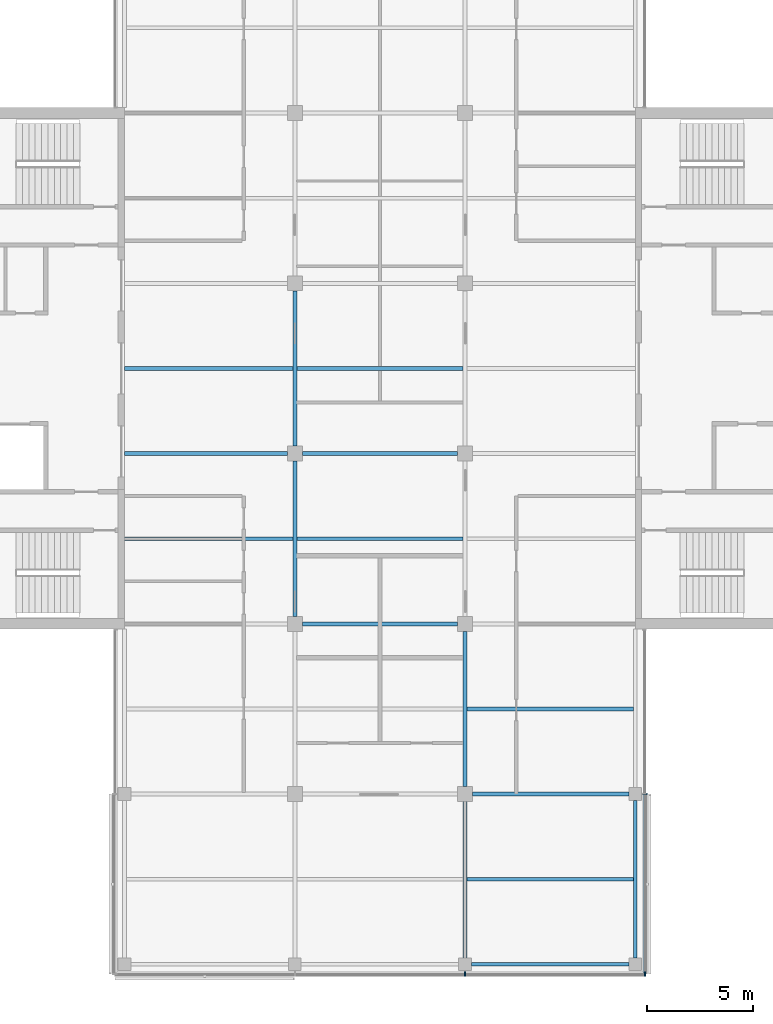
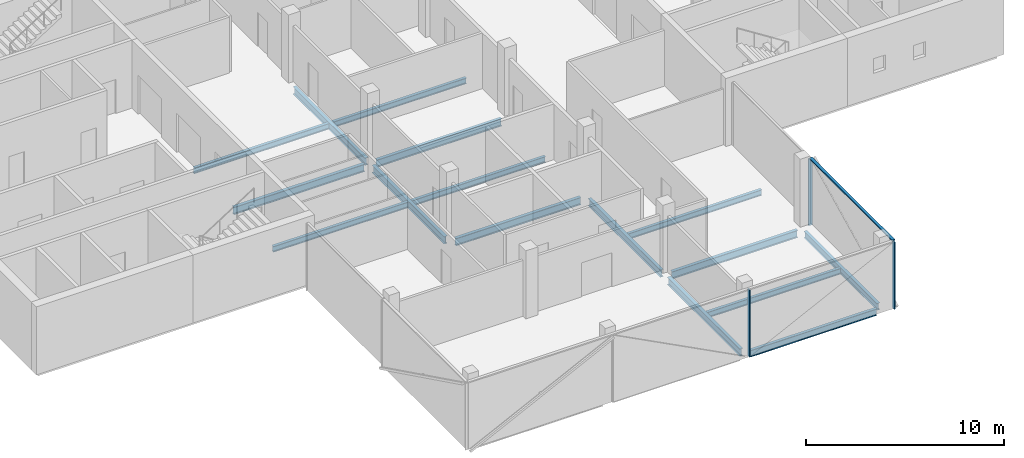
# One storey, part 3 of 16: 16 beams, 4 members, 2 elements without a shape of their own.
"""IFC4 building model written with IfcOpenShell, lengths in metres."""

import ifcopenshell
import ifcopenshell.guid

model = None  # the IFC model being written
_history = None  # IfcOwnerHistory: only IFC2X3 demands one
_inside = {}  # id of a spatial element -> (the spatial element, [elements in it])
_under = {}  # id of a project, library or spatial element -> (it, [spatial elements below it])
_declared = {}  # id of a project -> (the project, [libraries it declares])
_typed = {}  # id of a type object -> (the type object, [elements of that type])
_made_of = {}  # id of a material, layer set ... -> (it, [elements and type objects made of it])


def new_model(schema):
    """Start an empty IFC model of exactly this schema.

    Asked for "IFC4X3", IfcOpenShell would pick the latest addendum, in which some entities
    have other attributes; the version numbers below select the first issue.
    IFC2X3 requires an IfcOwnerHistory on every rooted entity: one is made here for all.
    """
    global model, _history
    if schema == "IFC4X3":
        model = ifcopenshell.file(schema_version=(4, 3, 0, 0))
    else:
        model = ifcopenshell.file(schema=schema)
    _inside.clear()
    _under.clear()
    _declared.clear()
    _typed.clear()
    _made_of.clear()
    _history = None
    if model.schema == "IFC2X3":
        org = make("IfcOrganization", Name="unknown")
        user = make(
            "IfcPersonAndOrganization",
            ThePerson=make("IfcPerson", FamilyName="unknown"),
            TheOrganization=org,
        )
        app = make(
            "IfcApplication",
            ApplicationDeveloper=org,
            Version="unknown",
            ApplicationFullName="unknown",
            ApplicationIdentifier="unknown",
        )
        _history = make(
            "IfcOwnerHistory",
            OwningUser=user,
            OwningApplication=app,
            ChangeAction="ADDED",
            CreationDate=0,
        )
    return model


def make(cls, **values):
    """One entity of the class cls with the attributes given. An attribute that is None is left unset."""
    return model.create_entity(
        cls, **{name: value for name, value in values.items() if value is not None}
    )


def rooted(cls, **values):
    """An entity with a GlobalId (a new one), such as an element, a storey or a relation."""
    return make(cls, GlobalId=ifcopenshell.guid.new(), OwnerHistory=_history, **values)


def si_unit(unit_type, name, prefix=None):
    """IfcSIUnit, for example si_unit("LENGTHUNIT", "METRE", prefix="MILLI")."""
    return make("IfcSIUnit", UnitType=unit_type, Prefix=prefix, Name=name)


def assignment(units):
    """IfcUnitAssignment: the units of a project."""
    return None if units is None else make("IfcUnitAssignment", Units=units)


def point(xyz):
    """IfcCartesianPoint."""
    return None if xyz is None else make("IfcCartesianPoint", Coordinates=xyz)


def direction(xyz):
    """IfcDirection."""
    return None if xyz is None else make("IfcDirection", DirectionRatios=xyz)


def frame(location, z_axis=None, x_axis=None):
    """IfcAxis2Placement3D, a coordinate frame: its origin and axes. An axis left out is left unset."""
    return make(
        "IfcAxis2Placement3D",
        Location=point(location),
        Axis=direction(z_axis),
        RefDirection=direction(x_axis),
    )


def frame_2d(location, x_axis=None):
    """IfcAxis2Placement2D, a coordinate frame in the plane: its origin and x axis."""
    return make(
        "IfcAxis2Placement2D", Location=point(location), RefDirection=direction(x_axis)
    )


def origin():
    """The frame at (0, 0, 0) with its axes left unset."""
    return frame((0.0, 0.0, 0.0))


def origin_2d():
    """The frame at (0, 0) in the plane with its x axis left unset."""
    return frame_2d((0.0, 0.0))


def place(relative_to, where):
    """IfcLocalPlacement: puts the frame where relative to a parent placement (None: the world)."""
    return make(
        "IfcLocalPlacement", PlacementRelTo=relative_to, RelativePlacement=where
    )


def context(
    kind, dimensions, precision=None, world=None, true_north=None, identifier=None
):
    """IfcGeometricRepresentationContext, for example the 3D "Model" context."""
    return make(
        "IfcGeometricRepresentationContext",
        ContextIdentifier=identifier,
        ContextType=kind,
        CoordinateSpaceDimension=dimensions,
        Precision=precision,
        WorldCoordinateSystem=world,
        TrueNorth=true_north,
    )


def subcontext(parent, identifier, kind, view, scale=None):
    """IfcGeometricRepresentationSubContext, for example "Body" below "Model"."""
    return make(
        "IfcGeometricRepresentationSubContext",
        ContextIdentifier=identifier,
        ContextType=kind,
        ParentContext=parent,
        TargetScale=scale,
        TargetView=view,
    )


def project(units=None, contexts=None):
    """IfcProject with its units and contexts."""
    return rooted(
        "IfcProject",
        Name="project",
        RepresentationContexts=contexts,
        UnitsInContext=assignment(units),
    )


def spatial(cls, under=None, at=None, **own):
    """A site, building, storey or space (cls), placed at a placement, below another one or the project."""
    s = rooted(cls, ObjectPlacement=at, **own)
    if under is not None:
        _under.setdefault(under.id(), (under, []))[1].append(s)
    return s


def profile(cls, at=None, kind="AREA", **sizes):
    """A parametric profile (cls). Its sizes go by their IFC names, for example OverallWidth=200.0."""
    return make(cls, ProfileType=kind, Position=at, **sizes)


def rectangle(**sizes):
    """IfcRectangleProfileDef."""
    return profile("IfcRectangleProfileDef", **sizes)


def i_section(**sizes):
    """IfcIShapeProfileDef."""
    return profile("IfcIShapeProfileDef", **sizes)


def extrude(swept, where, along, depth):
    """IfcExtrudedAreaSolid: the profile swept, set in the frame where, extruded along a direction by depth."""
    return make(
        "IfcExtrudedAreaSolid",
        SweptArea=swept,
        Position=where,
        ExtrudedDirection=direction(along),
        Depth=depth,
    )


def shape(context_of_items, identifier, shape_type, items):
    """IfcShapeRepresentation: the items that make up one representation, for example the "Body"."""
    return make(
        "IfcShapeRepresentation",
        ContextOfItems=context_of_items,
        RepresentationIdentifier=identifier,
        RepresentationType=shape_type,
        Items=items,
    )


def material(Name=None, Category=None):
    """IfcMaterial."""
    return make("IfcMaterial", Name=Name, Category=Category)


def material_profile(
    of_material, cross_section, Name=None, Category=None, Priority=None
):
    """IfcMaterialProfile: a cross section and its material."""
    return make(
        "IfcMaterialProfile",
        Name=Name,
        Material=of_material,
        Profile=cross_section,
        Priority=Priority,
        Category=Category,
    )


def profile_set(profiles, Name=None, composite=None):
    """IfcMaterialProfileSet."""
    return make(
        "IfcMaterialProfileSet",
        Name=Name,
        MaterialProfiles=profiles,
        CompositeProfile=composite,
    )


def made_of(thing, what):
    """Note that an element or type object is made of a material, layer set ...; save() writes the relation."""
    if what is not None:
        _made_of.setdefault(what.id(), (what, []))[1].append(thing)
    return thing


def type_object(cls, material=None, **own):
    """A type object (cls), such as IfcWallType, which elements share."""
    return made_of(rooted(cls, **own), material)


def element(
    cls,
    number,
    at=None,
    inside=None,
    cuts=None,
    type_object=None,
    material=None,
    context=None,
    identifier="Body",
    shape_type=None,
    held_by="IfcProductDefinitionShape",
    body=None,
    shapes=None,
    **own,
):
    """One element of the class cls, such as IfcWall. Its Tag is "e" and its number.

    at: its placement. inside: the storey or other place that contains it. cuts: it is an
    opening in that element (IfcRelVoidsElement). A single representation is given by context,
    identifier, shape_type and body (its items); several are given by shapes. held_by: the class
    of the entity that holds the representations. save() writes the other relations.
    """
    e = rooted(cls, Tag="e%d" % number, ObjectPlacement=at, **own)
    if body is not None:
        shapes = [shape(context, identifier, shape_type, body)]
    if shapes is not None:
        e.Representation = make(held_by, Representations=shapes)
    if inside is not None:
        _inside.setdefault(inside.id(), (inside, []))[1].append(e)
    if cuts is not None:
        rooted(
            "IfcRelVoidsElement", RelatingBuildingElement=cuts, RelatedOpeningElement=e
        )
    if type_object is not None:
        _typed.setdefault(type_object.id(), (type_object, []))[1].append(e)
    return made_of(e, material)


def aggregate(whole, parts):
    """IfcRelAggregates: a whole, such as a stair, and the parts it consists of."""
    return rooted("IfcRelAggregates", RelatingObject=whole, RelatedObjects=parts)


def save(model, path):
    """Write the relations noted so far, then the file.

    IfcRelAggregates (storeys below a building ...), IfcRelContainedInSpatialStructure (elements
    in a storey), IfcRelDefinesByType, IfcRelAssociatesMaterial and IfcRelDeclares: one each for
    every whole, place, type object, material and project.
    """
    for whole, parts in _under.values():
        aggregate(whole, parts)
    for where, things in _inside.values():
        rooted(
            "IfcRelContainedInSpatialStructure",
            RelatedElements=things,
            RelatingStructure=where,
        )
    for kind, things in _typed.values():
        rooted("IfcRelDefinesByType", RelatedObjects=things, RelatingType=kind)
    for what, things in _made_of.values():
        rooted("IfcRelAssociatesMaterial", RelatedObjects=things, RelatingMaterial=what)
    for by, libraries in _declared.values():
        rooted("IfcRelDeclares", RelatingContext=by, RelatedDefinitions=libraries)
    model.write(path)


model = new_model("IFC4")

# Units and contexts
model_context = context("Model", 3, precision=1e-05, world=origin(), true_north=direction((0.0, 1.0)))
body_context = subcontext(model_context, "Body", "Model", "MODEL_VIEW")
ifc_project = project(units=[si_unit("LENGTHUNIT", "METRE"), si_unit("AREAUNIT", "SQUARE_METRE"), si_unit("VOLUMEUNIT", "CUBIC_METRE"), si_unit("PLANEANGLEUNIT", "RADIAN"), si_unit("MASSUNIT", "GRAM", prefix="KILO")], contexts=[model_context])

# Site, building, storey
site_placement = place(None, origin())
site = spatial("IfcSite", under=ifc_project, at=site_placement, CompositionType="ELEMENT")
building_placement = place(site_placement, origin())
building = spatial("IfcBuilding", under=site, at=building_placement, Name="Crosswind Convention Tower", CompositionType="ELEMENT")
storey_placement = place(building_placement, frame((0.0, 0.0, 270.300048828125)))
storey = spatial("IfcBuildingStorey", under=building, at=storey_placement, Name="L58", CompositionType="ELEMENT", Elevation=270.300048828125)

# Beams
ifc_material_1 = material(Name="Steel S355", Category="steel")
ifc_material_profile_1 = material_profile(ifc_material_1, i_section(OverallWidth=0.177734375, OverallDepth=0.406494140625, WebThickness=0.0078125, FlangeThickness=0.0126953125, FilletRadius=0.01025390625, at=origin_2d()), Name="UB 406x178x60")
ifc_profile_set_1 = profile_set([ifc_material_profile_1], Name="Steel S355")
beam_type_1 = type_object("IfcBeamType", Name="Edge beam UB 406x178x60", PredefinedType="SPANDREL", material=ifc_profile_set_1)
for number, where, z_axis, x_axis, name in (
    (1, (129.300048828125, 72.0, -0.503173828125), (1.0, 0.0, 0.0), (0.0, 1.0, 0.0), "B15 L58 edge beam 9"),
    (2, (137.0, 72.300048828125, -0.503173828125), (0.0, 1.0, 0.0), (-1.0, 0.0, 0.0), "B15 L58 edge beam 11"),
):
    element("IfcBeam", number, at=place(storey_placement, frame(where, z_axis=z_axis, x_axis=x_axis)), inside=storey, type_object=beam_type_1, Name=name, PredefinedType="SPANDREL", context=body_context, shape_type="SweptSolid", body=[
        extrude(i_section(OverallWidth=0.177734375, OverallDepth=0.406494140625, WebThickness=0.0078125, FlangeThickness=0.0126953125, FilletRadius=0.01025390625, at=origin_2d()), origin(), (0.0, 0.0, 1.0), 7.39990234375),
    ])
ifc_material_profile_2 = material_profile(ifc_material_1, i_section(OverallWidth=0.18994140625, OverallDepth=0.45361328125, WebThickness=0.008544921875, FlangeThickness=0.0126953125, FilletRadius=0.01025390625, at=origin_2d()), Name="UB 457x191x67")
ifc_profile_set_2 = profile_set([ifc_material_profile_2], Name="Steel S355")
beam_type_2 = type_object("IfcBeamType", Name="Girder UB 457x191x67", PredefinedType="BEAM", material=ifc_profile_set_2)
for number, where, z_axis, x_axis, name in (
    (3, (121.0, 88.35009765625, -0.52685546875), (0.0, 1.0, 0.0), (-1.0, 0.0, 0.0), "B1 L58 girder 5"),
    (4, (121.0, 96.35009765625, -0.52685546875), (0.0, 1.0, 0.0), (-1.0, 0.0, 0.0), "B1 L58 girder 6"),
    (5, (121.35009765625, 88.0, -0.52685546875), (1.0, 0.0, 0.0), (0.0, 1.0, 0.0), "B1 L58 girder 11"),
    (6, (121.35009765625, 96.0, -0.52685546875), (1.0, 0.0, 0.0), (0.0, 1.0, 0.0), "B1 L58 girder 12"),
):
    element("IfcBeam", number, at=place(storey_placement, frame(where, z_axis=z_axis, x_axis=x_axis)), inside=storey, type_object=beam_type_2, Name=name, PredefinedType="BEAM", context=body_context, shape_type="SweptSolid", body=[
        extrude(i_section(OverallWidth=0.18994140625, OverallDepth=0.45361328125, WebThickness=0.008544921875, FlangeThickness=0.0126953125, FilletRadius=0.01025390625, at=origin_2d()), origin(), (0.0, 0.0, 1.0), 7.2998046875),
    ])
beam_1_placement = place(storey_placement, frame((129.0, 72.300048828125, -0.52685546875), z_axis=(0.0, 1.0, 0.0), x_axis=(-1.0, 0.0, 0.0)))
element("IfcBeam", 7, at=beam_1_placement, inside=storey, type_object=beam_type_2, Name="B1 L58 girder 16", PredefinedType="BEAM", context=body_context, shape_type="SweptSolid", body=[
    extrude(i_section(OverallWidth=0.18994140625, OverallDepth=0.45361328125, WebThickness=0.008544921875, FlangeThickness=0.0126953125, FilletRadius=0.01025390625, at=origin_2d()), origin(), (0.0, 0.0, 1.0), 7.349853515625),
])
beam_2_placement = place(storey_placement, frame((129.0, 80.35009765625, -0.52685546875), z_axis=(0.0, 1.0, 0.0), x_axis=(-1.0, 0.0, 0.0)))
element("IfcBeam", 8, at=beam_2_placement, inside=storey, type_object=beam_type_2, Name="B1 L58 girder 17", PredefinedType="BEAM", context=body_context, shape_type="SweptSolid", body=[
    extrude(i_section(OverallWidth=0.18994140625, OverallDepth=0.45361328125, WebThickness=0.008544921875, FlangeThickness=0.0126953125, FilletRadius=0.01025390625, at=origin_2d()), origin(), (0.0, 0.0, 1.0), 7.2998046875),
])
beam_3_placement = place(storey_placement, frame((129.35009765625, 80.0, -0.52685546875), z_axis=(1.0, 0.0, 0.0), x_axis=(0.0, 1.0, 0.0)))
element("IfcBeam", 9, at=beam_3_placement, inside=storey, type_object=beam_type_2, Name="B1 L58 girder 23", PredefinedType="BEAM", context=body_context, shape_type="SweptSolid", body=[
    extrude(i_section(OverallWidth=0.18994140625, OverallDepth=0.45361328125, WebThickness=0.008544921875, FlangeThickness=0.0126953125, FilletRadius=0.01025390625, at=origin_2d()), origin(), (0.0, 0.0, 1.0), 7.349853515625),
])
ifc_material_profile_3 = material_profile(ifc_material_1, i_section(OverallWidth=0.1904296875, OverallDepth=0.457275390625, WebThickness=0.009033203125, FlangeThickness=0.014404296875, FilletRadius=0.01025390625, at=origin_2d()), Name="UB 457x191x75")
ifc_profile_set_3 = profile_set([ifc_material_profile_3], Name="Steel S355")
beam_type_3 = type_object("IfcBeamType", Name="Girder at core wall UB 457x191x75", PredefinedType="BEAM", material=ifc_profile_set_3)
beam_4_placement = place(storey_placement, frame((113.0, 96.0, -0.528564453125), z_axis=(1.0, 0.0, 0.0), x_axis=(0.0, 1.0, 0.0)))
element("IfcBeam", 10, at=beam_4_placement, inside=storey, type_object=beam_type_3, Name="B22 L58 girder at core wall 2", PredefinedType="BEAM", context=body_context, shape_type="SweptSolid", body=[
    extrude(i_section(OverallWidth=0.1904296875, OverallDepth=0.457275390625, WebThickness=0.009033203125, FlangeThickness=0.014404296875, FilletRadius=0.01025390625, at=origin_2d()), origin(), (0.0, 0.0, 1.0), 7.64990234375),
])

# Curtain wall, members
ifc_material_2 = material(Name="Aluminium unitised curtain wall", Category="aluminium")
curtain_wall_type = type_object("IfcCurtainWallType", Name="OFFICE UNITISED WALL 220", PredefinedType="USERDEFINED", material=ifc_material_2)
curtain_wall_1_placement = place(storey_placement, origin())
curtain_wall_1 = element("IfcCurtainWall", 11, at=curtain_wall_1_placement, inside=storey, type_object=curtain_wall_type, Name="CW3 L58 S-TIP 1", ObjectType="UNITISED", PredefinedType="USERDEFINED")
ifc_material_3 = material(Name="Aluminium mullion", Category="aluminium")
ifc_material_profile_4 = material_profile(ifc_material_3, rectangle(XDim=0.219970703125, YDim=0.070068359375, at=origin_2d()), Name="AL 220X70")
ifc_profile_set_4 = profile_set([ifc_material_profile_4], Name="Aluminium mullion")
member_type_1 = type_object("IfcMemberType", Name="MULLION 70X220", PredefinedType="MULLION", material=ifc_profile_set_4)
member_1_placement = place(storey_placement, frame((129.0, 71.5400390625, -0.300048828125), z_axis=(0.0, 0.0, 1.0), x_axis=(0.0, -1.0, 0.0)))
member_1 = element("IfcMember", 12, at=member_1_placement, type_object=member_type_1, Name="CW3 mullion 3", PredefinedType="MULLION", context=body_context, shape_type="SweptSolid", body=[
    extrude(rectangle(XDim=0.219970703125, YDim=0.070068359375, at=origin_2d()), origin(), (0.0, 0.0, 1.0), 4.1298828125),
])
member_2_placement = place(storey_placement, frame((137.4599609375, 71.5400390625, -0.300048828125), z_axis=(0.0, 0.0, 1.0), x_axis=(0.0, -1.0, 0.0)))
member_2 = element("IfcMember", 13, at=member_2_placement, type_object=member_type_1, Name="CW3 mullion 4", PredefinedType="MULLION", context=body_context, shape_type="SweptSolid", body=[
    extrude(rectangle(XDim=0.219970703125, YDim=0.070068359375, at=origin_2d()), origin(), (0.0, 0.0, 1.0), 4.1298828125),
])
aggregate(curtain_wall_1, [member_1, member_2])

# Curtain wall, member
curtain_wall_2_placement = place(storey_placement, origin())
curtain_wall_2 = element("IfcCurtainWall", 14, at=curtain_wall_2_placement, inside=storey, type_object=curtain_wall_type, Name="CW3 L58 S-E 1", ObjectType="UNITISED", PredefinedType="USERDEFINED")
member_3_placement = place(storey_placement, frame((137.4599609375, 80.0, -0.300048828125), z_axis=(0.0, 0.0, 1.0), x_axis=(1.0, 0.0, 0.0)))
member_3 = element("IfcMember", 15, at=member_3_placement, type_object=member_type_1, Name="CW3 mullion 2", PredefinedType="MULLION", context=body_context, shape_type="SweptSolid", body=[
    extrude(rectangle(XDim=0.219970703125, YDim=0.070068359375, at=origin_2d()), origin(), (0.0, 0.0, 1.0), 4.1298828125),
])

# Beams
ifc_material_profile_5 = material_profile(ifc_material_1, i_section(OverallWidth=0.17138671875, OverallDepth=0.355712890625, WebThickness=0.00732421875, FlangeThickness=0.011474609375, FilletRadius=0.01025390625, at=origin_2d()), Name="UB 356x171x51")
ifc_profile_set_5 = profile_set([ifc_material_profile_5], Name="Steel S355")
beam_type_4 = type_object("IfcBeamType", Name="Secondary beam UB 356x171x51", PredefinedType="JOIST", material=ifc_profile_set_5)
for number, where, z_axis, x_axis, name in (
    (16, (113.0, 92.0, -0.477783203125), (1.0, 0.0, 0.0), (0.0, 1.0, 0.0), "B8 L58 secondary beam 1"),
    (17, (113.0, 100.0, -0.477783203125), (1.0, 0.0, 0.0), (0.0, 1.0, 0.0), "B8 L58 secondary beam 2"),
):
    element("IfcBeam", number, at=place(storey_placement, frame(where, z_axis=z_axis, x_axis=x_axis)), inside=storey, type_object=beam_type_4, Name=name, PredefinedType="JOIST", context=body_context, shape_type="SweptSolid", body=[
        extrude(i_section(OverallWidth=0.17138671875, OverallDepth=0.355712890625, WebThickness=0.00732421875, FlangeThickness=0.011474609375, FilletRadius=0.01025390625, at=origin_2d()), origin(), (0.0, 0.0, 1.0), 7.905029296875),
    ])
for number, where, z_axis, x_axis, name in (
    (18, (121.094970703125, 92.0, -0.477783203125), (1.0, 0.0, 0.0), (0.0, 1.0, 0.0), "B8 L58 secondary beam 10"),
    (19, (121.094970703125, 100.0, -0.477783203125), (1.0, 0.0, 0.0), (0.0, 1.0, 0.0), "B8 L58 secondary beam 11"),
):
    element("IfcBeam", number, at=place(storey_placement, frame(where, z_axis=z_axis, x_axis=x_axis)), inside=storey, type_object=beam_type_4, Name=name, PredefinedType="JOIST", context=body_context, shape_type="SweptSolid", body=[
        extrude(i_section(OverallWidth=0.17138671875, OverallDepth=0.355712890625, WebThickness=0.00732421875, FlangeThickness=0.011474609375, FilletRadius=0.01025390625, at=origin_2d()), origin(), (0.0, 0.0, 1.0), 7.81005859375),
    ])
for number, where, z_axis, x_axis, name in (
    (20, (129.094970703125, 76.0, -0.477783203125), (1.0, 0.0, 0.0), (0.0, 1.0, 0.0), "B8 L58 secondary beam 15"),
    (21, (129.094970703125, 84.0, -0.477783203125), (1.0, 0.0, 0.0), (0.0, 1.0, 0.0), "B8 L58 secondary beam 16"),
):
    element("IfcBeam", number, at=place(storey_placement, frame(where, z_axis=z_axis, x_axis=x_axis)), inside=storey, type_object=beam_type_4, Name=name, PredefinedType="JOIST", context=body_context, shape_type="SweptSolid", body=[
        extrude(i_section(OverallWidth=0.17138671875, OverallDepth=0.355712890625, WebThickness=0.00732421875, FlangeThickness=0.011474609375, FilletRadius=0.01025390625, at=origin_2d()), origin(), (0.0, 0.0, 1.0), 7.816162109375),
    ])

# Member
ifc_material_4 = material(Name="Aluminium transom", Category="aluminium")
ifc_material_profile_6 = material_profile(ifc_material_4, rectangle(XDim=0.159912109375, YDim=0.070068359375, at=origin_2d()), Name="AL 160X70")
ifc_profile_set_6 = profile_set([ifc_material_profile_6], Name="Aluminium transom")
member_type_2 = type_object("IfcMemberType", Name="TRANSOM 70X160", PredefinedType="USERDEFINED", material=ifc_profile_set_6)
member_4_placement = place(storey_placement, frame((137.4599609375, 71.574951171875, 3.864990234375), z_axis=(0.0, 1.0, 0.0), x_axis=(-1.0, 0.0, 0.0)))
member_4 = element("IfcMember", 22, at=member_4_placement, type_object=member_type_2, Name="CW3 transom", ObjectType="TRANSOM", PredefinedType="USERDEFINED", context=body_context, shape_type="SweptSolid", body=[
    extrude(rectangle(XDim=0.159912109375, YDim=0.070068359375, at=origin_2d()), origin(), (0.0, 0.0, 1.0), 8.39013671875),
])

aggregate(curtain_wall_2, [member_3, member_4])

save(model, "model.ifc")
